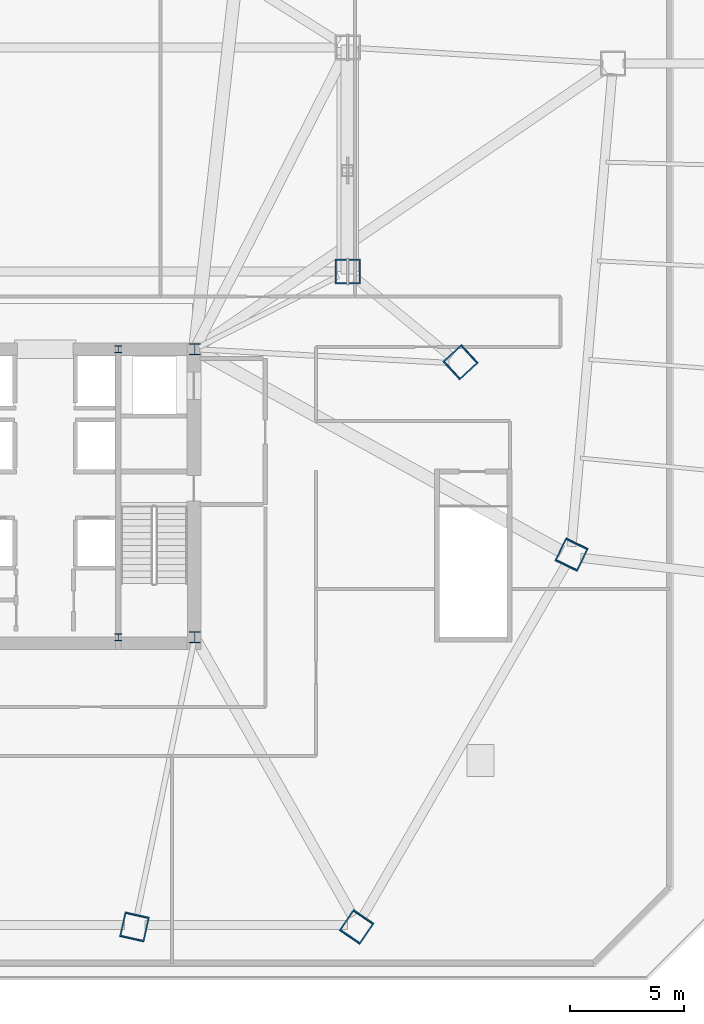
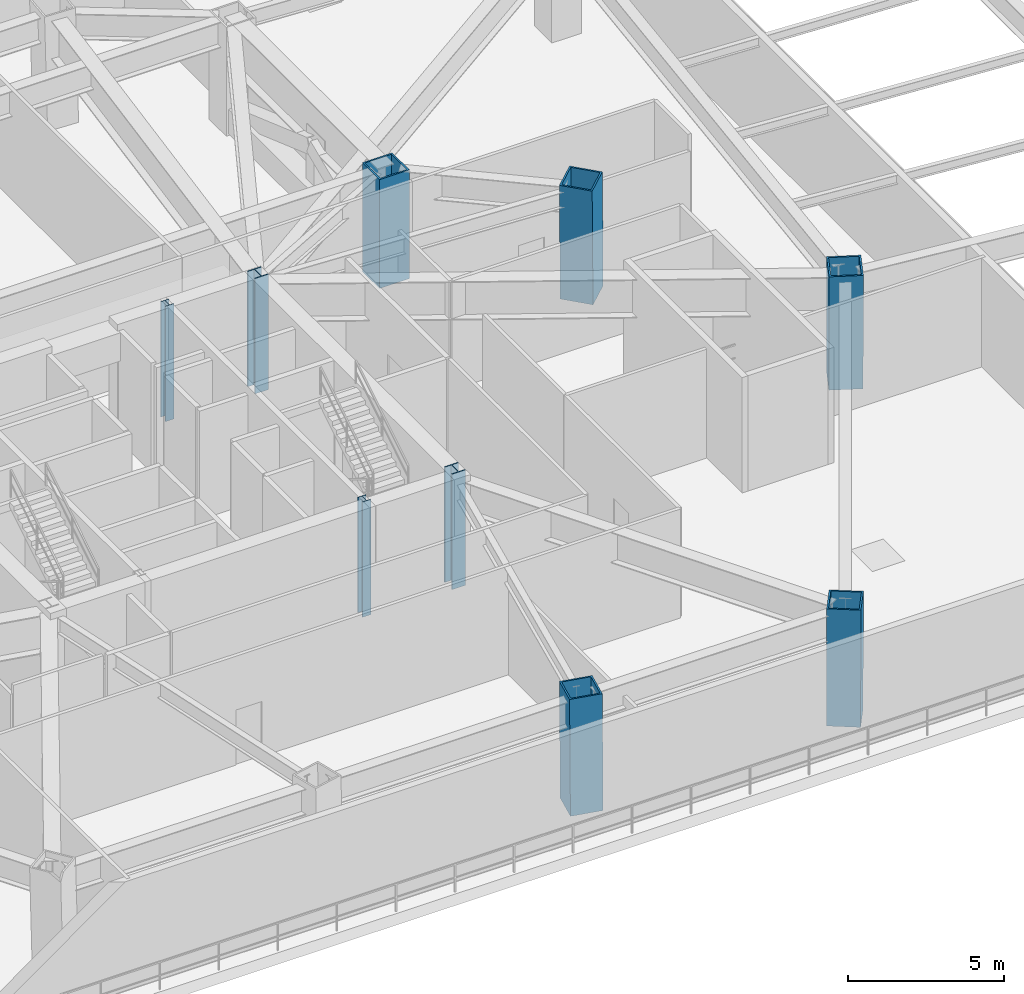
# One storey, part 2 of 13: 9 columns.
"""IFC4 building model written with IfcOpenShell, lengths in metres."""

from ifc_helpers import new_model, si_unit, direction, frame, origin, origin_2d, place, context, subcontext, project, spatial, hollow_rectangle, i_section, extrude, source, transform, mapped, material, material_profile, profile_set, type_object, type_shapes, element, save


model = new_model("IFC4")

# Units and contexts
model_context = context("Model", 3, precision=1e-05, world=origin(), true_north=direction((0.0, 1.0)))
body_context = subcontext(model_context, "Body", "Model", "MODEL_VIEW")
ifc_project = project(units=[si_unit("LENGTHUNIT", "METRE"), si_unit("AREAUNIT", "SQUARE_METRE"), si_unit("VOLUMEUNIT", "CUBIC_METRE"), si_unit("PLANEANGLEUNIT", "RADIAN"), si_unit("MASSUNIT", "GRAM", prefix="KILO")], contexts=[model_context])

# Site, building, storey
site_placement = place(None, origin())
site = spatial("IfcSite", under=ifc_project, at=site_placement, CompositionType="ELEMENT")
building_placement = place(site_placement, origin())
building = spatial("IfcBuilding", under=site, at=building_placement, Name="Caelisora Broadcast Tower", CompositionType="ELEMENT")
storey_placement = place(building_placement, frame((0.0, 0.0, 23.10009765625)))
storey = spatial("IfcBuildingStorey", under=building, at=storey_placement, Name="L05", CompositionType="ELEMENT", Elevation=23.10009765625)

# Columns
ifc_material_1 = material(Name="Steel Grade 350 (AS/NZS 3679.2)", Category="steel")
ifc_material_profile_1 = material_profile(ifc_material_1, i_section(OverallWidth=0.5, OverallDepth=0.5, WebThickness=0.028076171875, FlangeThickness=0.0400390625, at=origin_2d()), Name="Steel Grade 350 (AS/NZS 3679.2)")
ifc_profile_set_1 = profile_set([ifc_material_profile_1], Name="Steel Grade 350 (AS/NZS 3679.2)")
column_type_1 = type_object("IfcColumnType", Name="CC01", PredefinedType="COLUMN", material=ifc_profile_set_1)
shared_shape_1 = source(origin(), body_context, "Body", "SweptSolid", [
    extrude(i_section(OverallWidth=0.5, OverallDepth=0.5, WebThickness=0.028076171875, FlangeThickness=0.0400390625, at=origin_2d()), origin(), (0.0, 0.0, 1.0), 4.5),
])
type_shapes(column_type_1, [shared_shape_1])
for number, where, z_axis, x_axis, name in (
    (1, (45.5, 17.39990234375, 0.0), (0.0, 0.0, 1.0), (1.0, 0.0, 0.0), "L05 column CC01"),
    (2, (45.5, 30.0, 0.0), (0.0, 0.0, 1.0), (1.0, 0.0, 0.0), "L05 column CC01"),
):
    element("IfcColumn", number, at=place(storey_placement, frame(where, z_axis=z_axis, x_axis=x_axis)), inside=storey, type_object=column_type_1, Name=name, PredefinedType="COLUMN", context=body_context, shape_type="MappedRepresentation", body=[
        mapped(shared_shape_1, transform((0.0, 0.0, 0.0), scale=1.0)),
    ])
ifc_material_2 = material(Name="Steel Grade 350 (AS/NZS 3679.1)", Category="steel")
ifc_material_profile_2 = material_profile(ifc_material_2, i_section(OverallWidth=0.306884765625, OverallDepth=0.314697265625, WebThickness=0.011962890625, FlangeThickness=0.018798828125, at=origin_2d()), Name="Steel Grade 350 (AS/NZS 3679.1)")
ifc_profile_set_2 = profile_set([ifc_material_profile_2], Name="Steel Grade 350 (AS/NZS 3679.1)")
column_type_2 = type_object("IfcColumnType", Name="CC04", PredefinedType="COLUMN", material=ifc_profile_set_2)
shared_shape_2 = source(origin(), body_context, "Body", "SweptSolid", [
    extrude(i_section(OverallWidth=0.306884765625, OverallDepth=0.314697265625, WebThickness=0.011962890625, FlangeThickness=0.018798828125, at=origin_2d()), origin(), (0.0, 0.0, 1.0), 4.5),
])
type_shapes(column_type_2, [shared_shape_2])
for number, where, z_axis, x_axis, name in (
    (3, (42.14990234375, 17.39990234375, 0.0), (0.0, 0.0, 1.0), (1.0, 0.0, 0.0), "L05 column CC04"),
    (4, (42.14990234375, 30.0, 0.0), (0.0, 0.0, 1.0), (1.0, 0.0, 0.0), "L05 column CC04"),
):
    element("IfcColumn", number, at=place(storey_placement, frame(where, z_axis=z_axis, x_axis=x_axis)), inside=storey, type_object=column_type_2, Name=name, PredefinedType="COLUMN", context=body_context, shape_type="MappedRepresentation", body=[
        mapped(shared_shape_2, transform((0.0, 0.0, 0.0), scale=1.0)),
    ])
ifc_material_3 = material(Name="Steel Grade 350 L15 (AS/NZS 3678)", Category="steel")
ifc_material_profile_3 = material_profile(ifc_material_3, hollow_rectangle(XDim=1.10009765625, YDim=1.10009765625, WallThickness=0.06005859375, at=origin_2d()), Name="Steel Grade 350 L15 (AS/NZS 3678)")
ifc_profile_set_3 = profile_set([ifc_material_profile_3], Name="Steel Grade 350 L15 (AS/NZS 3678)")
column_type_3 = type_object("IfcColumnType", Name="MC03", PredefinedType="COLUMN", material=ifc_profile_set_3)
shared_shape_3 = source(origin(), body_context, "Body", "SweptSolid", [
    extrude(hollow_rectangle(XDim=1.10009765625, YDim=1.10009765625, WallThickness=0.06005859375, at=origin_2d()), origin(), (0.0, 0.0, 1.0), 4.501220703125),
])
for number, where, z_axis, x_axis, name in (
    (5, (52.57177734375, 4.7109375, 0.0), (0.013451006786, 0.019796844666, 0.999713536648), (-0.827137189058, 0.562000062702, 0.0), "L05 column MC03"),
    (6, (61.99072265625, 21.025146484375, 0.0), (-0.010413674417, -0.021586679261, 0.999712744074), (0.900673807124, -0.434495906954, 0.0), "L05 column MC03"),
):
    element("IfcColumn", number, at=place(storey_placement, frame(where, z_axis=z_axis, x_axis=x_axis)), inside=storey, type_object=column_type_3, Name=name, PredefinedType="COLUMN", context=body_context, shape_type="MappedRepresentation", body=[
        mapped(shared_shape_3, transform((0.0, 0.0, 0.0), scale=1.0)),
    ])
shared_shape_4 = source(origin(), body_context, "Body", "SweptSolid", [
    extrude(hollow_rectangle(XDim=1.10009765625, YDim=1.10009765625, WallThickness=0.06005859375, at=origin_2d()), origin(), (0.0, 0.0, 1.0), 4.5009765625),
])
for number, where, z_axis, x_axis, name in (
    (7, (42.857421875, 4.7109375, 0.0), (0.004447868708, 0.019798439982, 0.999794097921), (-0.975681262541, 0.219194146653, 0.0), "L05 column MC03"),
    (8, (57.133544921875, 29.43798828125, 0.0), (-0.01491662865, -0.013777540644, 0.999793815526), (0.678501966239, -0.734598585494, 0.0), "L05 column MC03"),
):
    element("IfcColumn", number, at=place(storey_placement, frame(where, z_axis=z_axis, x_axis=x_axis)), inside=storey, type_object=column_type_3, Name=name, PredefinedType="COLUMN", context=body_context, shape_type="MappedRepresentation", body=[
        mapped(shared_shape_4, transform((0.0, 0.0, 0.0), scale=1.0)),
    ])
shared_shape_5 = source(origin(), body_context, "Body", "SweptSolid", [
    extrude(hollow_rectangle(XDim=1.10009765625, YDim=1.10009765625, WallThickness=0.06005859375, at=origin_2d()), origin(), (0.0, 0.0, 1.0), 4.25),
])
type_shapes(column_type_3, [shared_shape_3, shared_shape_4, shared_shape_5])
column_placement = place(storey_placement, frame((52.18896484375, 33.39990234375, 0.0), z_axis=(0.0, 0.0, 1.0), x_axis=(1.0, 0.0, 0.0)))
element("IfcColumn", 9, at=column_placement, inside=storey, type_object=column_type_3, Name="L05 column MC03", PredefinedType="COLUMN", context=body_context, shape_type="MappedRepresentation", body=[
    mapped(shared_shape_5, transform((0.0, 0.0, 0.0), scale=1.0)),
])

save(model, "model.ifc")
